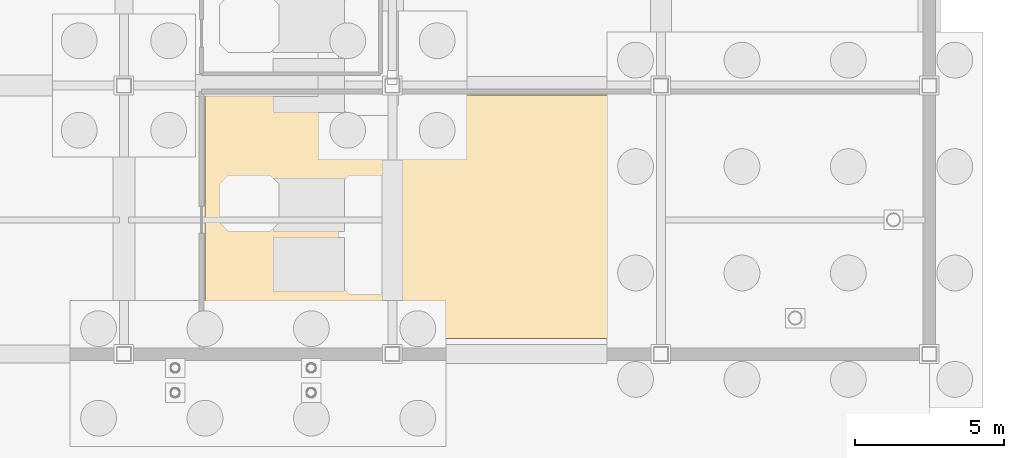
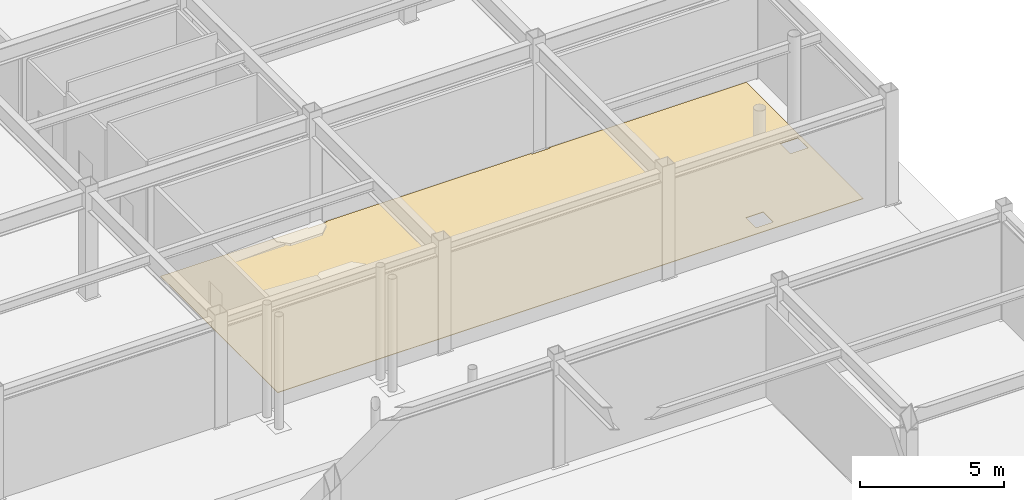
# One storey, part 70 of 74: 1 covering.
"""IFC4 building model written with IfcOpenShell, lengths in metres."""

from ifc_helpers import new_model, si_unit, direction, frame, origin, place, context, subcontext, project, spatial, polyline, outline, extrude, material, layer, layer_set, type_object, element, save


model = new_model("IFC4")

# Units and contexts
model_context = context("Model", 3, precision=1e-05, world=origin(), true_north=direction((0.0, 1.0)))
body_context = subcontext(model_context, "Body", "Model", "MODEL_VIEW")
ifc_project = project(units=[si_unit("LENGTHUNIT", "METRE"), si_unit("AREAUNIT", "SQUARE_METRE"), si_unit("VOLUMEUNIT", "CUBIC_METRE"), si_unit("PLANEANGLEUNIT", "RADIAN"), si_unit("MASSUNIT", "GRAM", prefix="KILO")], contexts=[model_context])

# Site, building, storey
site_placement = place(None, origin())
site = spatial("IfcSite", under=ifc_project, at=site_placement, CompositionType="ELEMENT")
building_placement = place(site_placement, origin())
building = spatial("IfcBuilding", under=site, at=building_placement, Name="Suzunagisa Mobility Hub", CompositionType="ELEMENT")
storey_placement = place(building_placement, frame((0.0, 0.0, -4.800048828125)))
storey = spatial("IfcBuildingStorey", under=building, at=storey_placement, Name="B1", CompositionType="ELEMENT", Elevation=-4.800048828125)

# Covering
ifc_material = material(Name="Polished Aggregate Terrazzo Finish")
ifc_layer = layer(ifc_material, 0.02001953125)
ifc_layer_set = layer_set([ifc_layer], Name="Polished Aggregate Terrazzo Finish")
covering_type = type_object("IfcCoveringType", Name="Polished Terrazzo Heavy-Traffic Flooring FLR-01", PredefinedType="FLOORING", material=ifc_layer_set)
covering_placement = place(storey_placement, origin())
element("IfcCovering", 1, at=covering_placement, inside=storey, type_object=covering_type, Name="B1 Facility Engineering Equipment Store B1 Terrazzo Flooring", PredefinedType="FLOORING", context=body_context, shape_type="SweptSolid", body=[
    extrude(outline(polyline([(170.6298828125, 52.679931640625), (170.6298828125, 52.6298828125), (171.3701171875, 52.6298828125), (171.3701171875, 52.679931640625), (179.280029296875, 52.679931640625), (179.280029296875, 44.52001953125), (155.719970703125, 44.52001953125), (155.719970703125, 52.679931640625), (161.6298828125, 52.679931640625), (161.6298828125, 52.6298828125), (162.3701171875, 52.6298828125), (162.3701171875, 52.679931640625), (170.6298828125, 52.679931640625)]), holes=[polyline([(175.8486328125, 45.554443359375), (175.1513671875, 45.554443359375), (175.1513671875, 44.857177734375), (175.8486328125, 44.857177734375), (175.8486328125, 45.554443359375)]), polyline([(179.142822265625, 48.1513671875), (179.142822265625, 48.8486328125), (178.445556640625, 48.8486328125), (178.445556640625, 48.1513671875), (179.142822265625, 48.1513671875)])]), origin(), (0.0, 0.0, 1.0), 0.02001953125),
])

save(model, "model.ifc")
